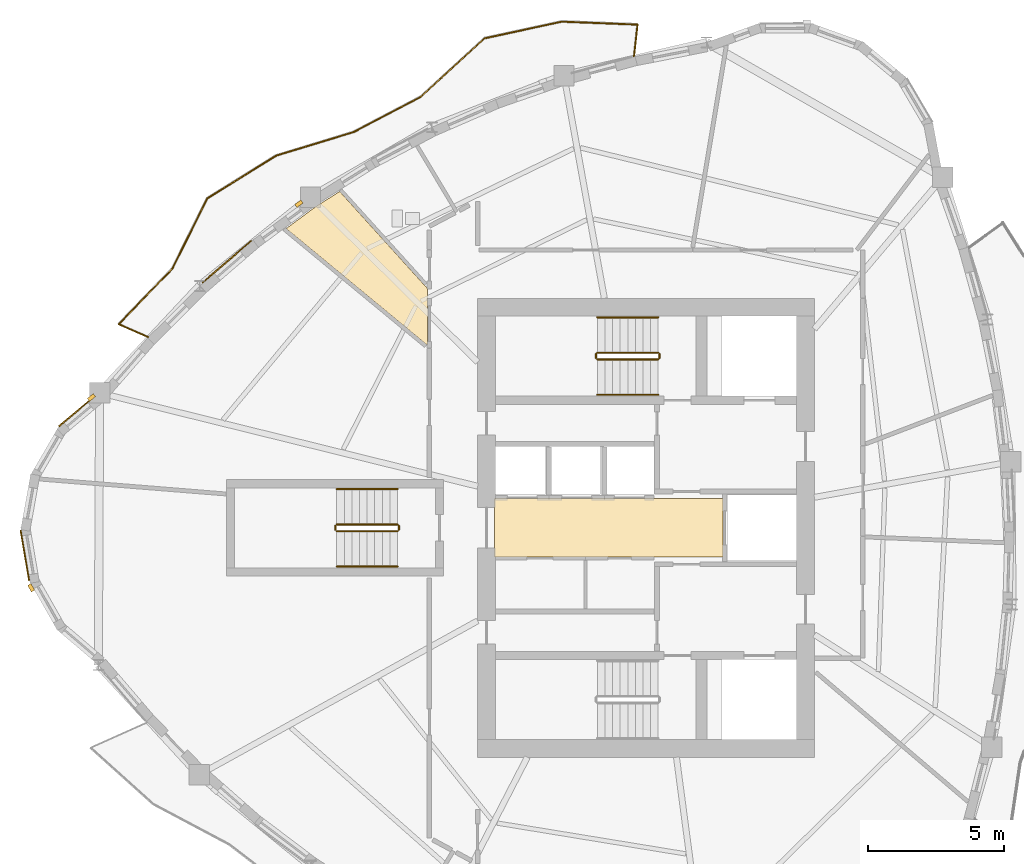
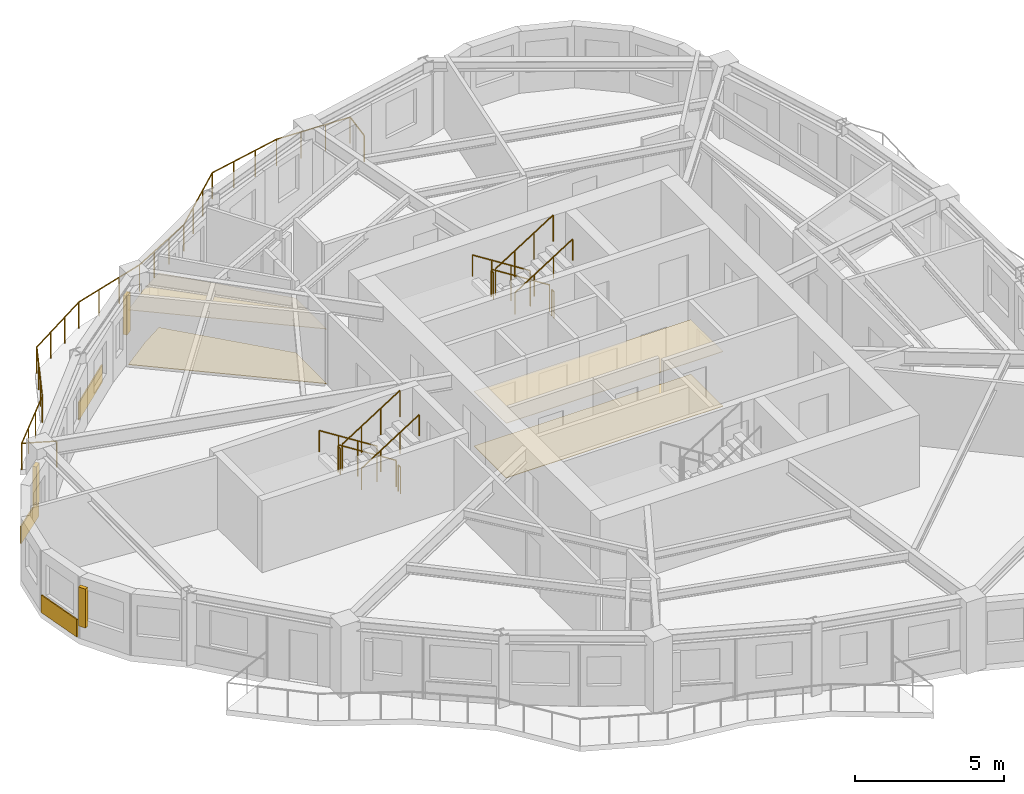
# One storey, part 9 of 11: 13 railings, 7 coverings, 3 shading devices.
"""IFC4 building model written with IfcOpenShell, lengths in metres."""

from ifc_helpers import new_model, si_unit, direction, frame, origin, origin_2d, place, context, subcontext, project, spatial, polyline, rectangle, circle, outline, extrude, source, transform, mapped, material, layer, layer_set, type_object, element, save


model = new_model("IFC4")

# Units and contexts
model_context = context("Model", 3, precision=1e-05, world=origin(), true_north=direction((0.0, 1.0)))
body_context = subcontext(model_context, "Body", "Model", "MODEL_VIEW")
ifc_project = project(units=[si_unit("LENGTHUNIT", "METRE"), si_unit("AREAUNIT", "SQUARE_METRE"), si_unit("VOLUMEUNIT", "CUBIC_METRE"), si_unit("PLANEANGLEUNIT", "RADIAN"), si_unit("MASSUNIT", "GRAM", prefix="KILO")], contexts=[model_context])

# Site, building, storey
site_placement = place(None, origin())
site = spatial("IfcSite", under=ifc_project, at=site_placement, CompositionType="ELEMENT")
building_placement = place(site_placement, origin())
building = spatial("IfcBuilding", under=site, at=building_placement, Name="Qafzar Sky-Pleat Residences", CompositionType="ELEMENT")
storey_placement = place(building_placement, frame((0.0, 0.0, 168.199951171875)))
storey = spatial("IfcBuildingStorey", under=building, at=storey_placement, Name="L50", CompositionType="ELEMENT", Elevation=168.199951171875)

# Coverings
ifc_material_1 = material(Name="Perforated acoustic gypsum board ceiling")
ifc_layer_1 = layer(ifc_material_1, 0.02001953125)
ifc_layer_set_1 = layer_set([ifc_layer_1], Name="Perforated acoustic gypsum board ceiling")
covering_type_1 = type_object("IfcCoveringType", Name="COV-CEIL-ACOUSTIC", PredefinedType="CEILING", material=ifc_layer_set_1)
covering_1_placement = place(storey_placement, frame((0.0, 0.0, 2.239990234375)))
element("IfcCovering", 1, at=covering_1_placement, inside=storey, type_object=covering_type_1, Name="L50 Passenger Lift Lobby Acoustic Ceiling", PredefinedType="CEILING", context=body_context, shape_type="SweptSolid", body=[
    extrude(outline(polyline([(33.179931640625, 24.919921875), (24.77001953125, 24.919921875), (24.77001953125, 27.080078125), (33.179931640625, 27.080078125), (33.179931640625, 24.919921875)])), origin(), (0.0, 0.0, 1.0), 0.02001953125),
])
covering_2_placement = place(storey_placement, frame((0.0, 0.0, 2.239990234375)))
element("IfcCovering", 2, at=covering_2_placement, inside=storey, type_object=covering_type_1, Name="L50 Scholar Study Room Acoustic Ceiling", PredefinedType="CEILING", context=body_context, shape_type="SweptSolid", body=[
    extrude(outline(polyline([(19.0703125, 38.385498046875), (22.31005859375, 34.802490234375), (22.31005859375, 32.716796875), (17.097900390625, 37.020751953125), (18.2138671875, 37.8466796875), (19.0703125, 38.385498046875)])), origin(), (0.0, 0.0, 1.0), 0.02001953125),
])
ifc_material_2 = material(Name="Honed porcelain and Riyadh stone tile flooring", Category="masonry")
ifc_layer_2 = layer(ifc_material_2, 0.02001953125)
ifc_layer_set_2 = layer_set([ifc_layer_2], Name="Honed porcelain and Riyadh stone tile flooring")
covering_type_2 = type_object("IfcCoveringType", Name="COV-FLR-PORCELAIN", PredefinedType="FLOORING", material=ifc_layer_set_2)
covering_3_placement = place(storey_placement, origin())
element("IfcCovering", 3, at=covering_3_placement, inside=storey, type_object=covering_type_2, Name="L50 Passenger Lift Lobby Honed Stone Flooring", PredefinedType="FLOORING", context=body_context, shape_type="SweptSolid", body=[
    extrude(outline(polyline([(33.179931640625, 24.919921875), (24.77001953125, 24.919921875), (24.77001953125, 27.080078125), (33.179931640625, 27.080078125), (33.179931640625, 24.919921875)])), origin(), (0.0, 0.0, 1.0), 0.02001953125),
])
covering_4_placement = place(storey_placement, origin())
element("IfcCovering", 4, at=covering_4_placement, inside=storey, type_object=covering_type_2, Name="L50 Scholar Study Room Honed Stone Flooring", PredefinedType="FLOORING", context=body_context, shape_type="SweptSolid", body=[
    extrude(outline(polyline([(19.0703125, 38.385498046875), (22.31005859375, 34.802490234375), (22.31005859375, 32.716796875), (17.097900390625, 37.020751953125), (18.2138671875, 37.8466796875), (19.0703125, 38.385498046875)])), origin(), (0.0, 0.0, 1.0), 0.02001953125),
])

# Shading devices
ifc_material_3 = material(Name="Honed Riyadh limestone solar fin", Category="masonry")
ifc_layer_3 = layer(ifc_material_3, 0.139892578125)
ifc_layer_set_3 = layer_set([ifc_layer_3], Name="Honed Riyadh limestone solar fin")
shading_device_type = type_object("IfcShadingDeviceType", Name="SHD-FIN-STONE", PredefinedType="SHUTTER", material=ifc_layer_set_3)
shared_shape_1 = source(origin(), body_context, "Body", "SweptSolid", [
    extrude(rectangle(XDim=0.139892578125, YDim=0.280029296875, at=origin_2d()), origin(), (0.0, 0.0, 1.0), 1.60009765625),
])
for number, where, z_axis, x_axis, name in (
    (5, (9.927001953125, 30.79931640625, 0.60009765625), (0.0, 0.0, 1.0), (-0.642173926269, 0.766558966042, 0.0), "L50 Limestone Solar Fin 1"),
    (6, (7.70654296875, 23.7919921875, 0.60009765625), (0.0, 0.0, 1.0), (-0.869636147996, -0.493693194301, 0.0), "L50 Limestone Solar Fin 5"),
    (7, (17.567138671875, 37.93408203125, 0.60009765625), (0.0, 0.0, 1.0), (-0.594863896684, 0.80382643924, 0.0), "L50 Limestone Solar Fin 45"),
):
    element("IfcShadingDevice", number, at=place(storey_placement, frame(where, z_axis=z_axis, x_axis=x_axis)), inside=storey, type_object=shading_device_type, Name=name, PredefinedType="SHUTTER", context=body_context, shape_type="MappedRepresentation", body=[
        mapped(shared_shape_1, transform((0.0, 0.0, 0.0), x_axis=(1.0, 0.0, 0.0), y_axis=(0.0, 1.0, 0.0), z_axis=(0.0, 0.0, 1.0), scale=1.0)),
    ])

# Coverings
ifc_material_4 = material(Name="Honed Riyadh Tuwaiq limestone cladding", Category="masonry")
ifc_layer_4 = layer(ifc_material_4, 0.044921875)
ifc_layer_set_4 = layer_set([ifc_layer_4], Name="Honed Riyadh Tuwaiq limestone cladding")
covering_type_3 = type_object("IfcCoveringType", Name="COV-CLAD-STONE", PredefinedType="CLADDING", material=ifc_layer_set_4)
shared_shape_2 = source(origin(), body_context, "Body", "SweptSolid", [
    extrude(rectangle(XDim=1.873046875, YDim=0.044921875, at=origin_2d()), origin(), (0.0, 0.0, 1.0), 0.719970703125),
])
covering_5_placement = place(storey_placement, frame((7.475341796875, 24.98046875, 0.02001953125), z_axis=(0.0, 0.0, 1.0), x_axis=(0.168083505524, -0.985772760412, 0.0)))
element("IfcCovering", 8, at=covering_5_placement, inside=storey, type_object=covering_type_3, Name="L50 Riyadh Limestone Spandrel Cladding 4", PredefinedType="CLADDING", context=body_context, shape_type="MappedRepresentation", body=[
    mapped(shared_shape_2, transform((0.0, 0.0, 0.0), x_axis=(1.0, 0.0, 0.0), y_axis=(0.0, 1.0, 0.0), z_axis=(0.0, 0.0, 1.0), scale=1.0)),
])
shared_shape_3 = source(origin(), body_context, "Body", "SweptSolid", [
    extrude(rectangle(XDim=1.69921875, YDim=0.044921875, at=origin_2d()), origin(), (0.0, 0.0, 1.0), 0.719970703125),
])
covering_6_placement = place(storey_placement, frame((9.371826171875, 30.2783203125, 0.02001953125), z_axis=(0.0, 0.0, 1.0), x_axis=(-0.766595170589, -0.642130706655, 0.0)))
element("IfcCovering", 9, at=covering_6_placement, inside=storey, type_object=covering_type_3, Name="L50 Riyadh Limestone Spandrel Cladding 1", PredefinedType="CLADDING", context=body_context, shape_type="MappedRepresentation", body=[
    mapped(shared_shape_3, transform((0.0, 0.0, 0.0), x_axis=(1.0, 0.0, 0.0), y_axis=(0.0, 1.0, 0.0), z_axis=(0.0, 0.0, 1.0), scale=1.0)),
])

# Railing
ifc_material_5 = material(Name="Laminated glass and bronze steel balustrade", Category="steel")
railing_type_1 = type_object("IfcRailingType", Name="RAIL-BAL-1100", PredefinedType="BALUSTRADE", material=ifc_material_5)
shared_shape_4 = source(origin(), body_context, "Body", "SweptSolid", [
    extrude(circle(Radius=0.02392578125, at=origin_2d()), frame((0.0, 0.0, 1.076171875), z_axis=(0.10940804142, 0.993996921762, 0.0), x_axis=(-0.993996921762, 0.10940804142, 0.0)), (0.0, 0.0, 1.0), 1.17822265625),
    extrude(circle(Radius=0.02392578125, at=origin_2d()), frame((0.12890625, 1.171142578125, 1.076171875), z_axis=(-0.999232085021, 0.039182142152, 0.0), x_axis=(-0.039182142152, -0.999232085021, 0.0)), (0.0, 0.0, 1.0), 2.79150390625),
    extrude(circle(Radius=0.02392578125, at=origin_2d()), frame((-2.660400390625, 1.280517578125, 1.076171875), z_axis=(-0.977426795967, -0.211274367884, 0.0), x_axis=(0.211274367884, -0.977426795967, 0.0)), (0.0, 0.0, 1.0), 2.9130859375),
    extrude(circle(Radius=0.02392578125, at=origin_2d()), frame((-5.5078125, 0.6650390625, 1.076171875), z_axis=(-0.736681363217, -0.676240023283, 0.0), x_axis=(0.676240023283, -0.736681363217, 0.0)), (0.0, 0.0, 1.0), 3.195068359375),
    extrude(circle(Radius=0.02392578125, at=origin_2d()), frame((-7.861572265625, -1.49560546875, 1.076171875), z_axis=(-0.88583325501, -0.464003711536, 0.0), x_axis=(0.464003711536, -0.88583325501, 0.0)), (0.0, 0.0, 1.0), 2.778564453125),
    extrude(circle(Radius=0.02392578125, at=origin_2d()), frame((-10.322998046875, -2.784912109375, 1.076171875), z_axis=(-0.956665955369, -0.291187653994, 0.0), x_axis=(0.291187653994, -0.956665955369, 0.0)), (0.0, 0.0, 1.0), 2.98486328125),
    extrude(circle(Radius=0.02392578125, at=origin_2d()), frame((-13.178466796875, -3.654052734375, 1.076171875), z_axis=(-0.849691907904, -0.527279491013, 0.0), x_axis=(0.527279491013, -0.849691907904, 0.0)), (0.0, 0.0, 1.0), 2.98876953125),
    extrude(circle(Radius=0.02392578125, at=origin_2d()), frame((-15.718017578125, -5.22998046875, 1.076171875), z_axis=(-0.443860567831, -0.896095863357, 0.0), x_axis=(0.896095863357, -0.443860567831, 0.0)), (0.0, 0.0, 1.0), 2.885986328125),
    extrude(circle(Radius=0.02392578125, at=origin_2d()), frame((-16.9990234375, -7.816162109375, 1.076171875), z_axis=(-0.695369906362, -0.718651997371, 0.0), x_axis=(0.718651997371, -0.695369906362, 0.0)), (0.0, 0.0, 1.0), 2.841796875),
    extrude(circle(Radius=0.02392578125, at=origin_2d()), frame((-18.97509765625, -9.8583984375, 1.076171875), z_axis=(0.915461631007, -0.402405271031, 0.0), x_axis=(0.402405271031, 0.915461631007, 0.0)), (0.0, 0.0, 1.0), 1.17822265625),
    extrude(circle(Radius=0.02099609375, at=origin_2d()), origin(), (0.0, 0.0, 1.0), 1.052001953125),
    extrude(circle(Radius=0.02099609375, at=origin_2d()), frame((0.12890625, 1.171142578125, 0.0)), (0.0, 0.0, 1.0), 1.052001953125),
    extrude(circle(Radius=0.02099609375, at=origin_2d()), frame((-0.80078125, 1.20751953125, 0.0)), (0.0, 0.0, 1.0), 1.052001953125),
    extrude(circle(Radius=0.02099609375, at=origin_2d()), frame((-1.730712890625, 1.244140625, 0.0)), (0.0, 0.0, 1.0), 1.052001953125),
    extrude(circle(Radius=0.02099609375, at=origin_2d()), frame((-2.660400390625, 1.280517578125, 0.0)), (0.0, 0.0, 1.0), 1.052001953125),
    extrude(circle(Radius=0.02099609375, at=origin_2d()), frame((-3.609619140625, 1.075439453125, 0.0)), (0.0, 0.0, 1.0), 1.052001953125),
    extrude(circle(Radius=0.02099609375, at=origin_2d()), frame((-4.55859375, 0.8701171875, 0.0)), (0.0, 0.0, 1.0), 1.052001953125),
    extrude(circle(Radius=0.02099609375, at=origin_2d()), frame((-5.5078125, 0.6650390625, 0.0)), (0.0, 0.0, 1.0), 1.052001953125),
    extrude(circle(Radius=0.02099609375, at=origin_2d()), frame((-6.29248046875, -0.05517578125, 0.0)), (0.0, 0.0, 1.0), 1.052001953125),
    extrude(circle(Radius=0.02099609375, at=origin_2d()), frame((-7.076904296875, -0.775390625, 0.0)), (0.0, 0.0, 1.0), 1.052001953125),
    extrude(circle(Radius=0.02099609375, at=origin_2d()), frame((-7.861572265625, -1.49560546875, 0.0)), (0.0, 0.0, 1.0), 1.052001953125),
    extrude(circle(Radius=0.02099609375, at=origin_2d()), frame((-8.68212890625, -1.92529296875, 0.0)), (0.0, 0.0, 1.0), 1.052001953125),
    extrude(circle(Radius=0.02099609375, at=origin_2d()), frame((-9.50244140625, -2.355224609375, 0.0)), (0.0, 0.0, 1.0), 1.052001953125),
    extrude(circle(Radius=0.02099609375, at=origin_2d()), frame((-10.322998046875, -2.784912109375, 0.0)), (0.0, 0.0, 1.0), 1.052001953125),
    extrude(circle(Radius=0.02099609375, at=origin_2d()), frame((-11.27490234375, -3.07470703125, 0.0)), (0.0, 0.0, 1.0), 1.052001953125),
    extrude(circle(Radius=0.02099609375, at=origin_2d()), frame((-12.2265625, -3.3642578125, 0.0)), (0.0, 0.0, 1.0), 1.052001953125),
    extrude(circle(Radius=0.02099609375, at=origin_2d()), frame((-13.178466796875, -3.654052734375, 0.0)), (0.0, 0.0, 1.0), 1.052001953125),
    extrude(circle(Radius=0.02099609375, at=origin_2d()), frame((-14.02490234375, -4.179443359375, 0.0)), (0.0, 0.0, 1.0), 1.052001953125),
    extrude(circle(Radius=0.02099609375, at=origin_2d()), frame((-14.87158203125, -4.70458984375, 0.0)), (0.0, 0.0, 1.0), 1.052001953125),
    extrude(circle(Radius=0.02099609375, at=origin_2d()), frame((-15.718017578125, -5.22998046875, 0.0)), (0.0, 0.0, 1.0), 1.052001953125),
    extrude(circle(Radius=0.02099609375, at=origin_2d()), frame((-16.14501953125, -6.092041015625, 0.0)), (0.0, 0.0, 1.0), 1.052001953125),
    extrude(circle(Radius=0.02099609375, at=origin_2d()), frame((-16.572021484375, -6.9541015625, 0.0)), (0.0, 0.0, 1.0), 1.052001953125),
    extrude(circle(Radius=0.02099609375, at=origin_2d()), frame((-16.9990234375, -7.816162109375, 0.0)), (0.0, 0.0, 1.0), 1.052001953125),
    extrude(circle(Radius=0.02099609375, at=origin_2d()), frame((-17.65771484375, -8.496826171875, 0.0)), (0.0, 0.0, 1.0), 1.052001953125),
    extrude(circle(Radius=0.02099609375, at=origin_2d()), frame((-18.31640625, -9.177734375, 0.0)), (0.0, 0.0, 1.0), 1.052001953125),
    extrude(circle(Radius=0.02099609375, at=origin_2d()), frame((-18.97509765625, -9.8583984375, 0.0)), (0.0, 0.0, 1.0), 1.052001953125),
    extrude(circle(Radius=0.02099609375, at=origin_2d()), frame((-17.896484375, -10.33251953125, 0.0)), (0.0, 0.0, 1.0), 1.052001953125),
])
railing_placement = place(storey_placement, frame((29.908203125, 43.35986328125, 0.0)))
element("IfcRailing", 10, at=railing_placement, inside=storey, type_object=railing_type_1, Name="L50 Pleated Balcony 2 Balustrade", PredefinedType="BALUSTRADE", context=body_context, shape_type="MappedRepresentation", body=[
    mapped(shared_shape_4, transform((0.0, 0.0, 0.0), x_axis=(1.0, 0.0, 0.0), y_axis=(0.0, 1.0, 0.0), z_axis=(0.0, 0.0, 1.0), scale=1.0)),
])

# Covering
shared_shape_5 = source(origin(), body_context, "Body", "SweptSolid", [
    extrude(rectangle(XDim=2.381103515625, YDim=0.044921875, at=origin_2d()), origin(), (0.0, 0.0, 1.0), 0.719970703125),
])
covering_7_placement = place(storey_placement, frame((14.91748046875, 35.801025390625, 0.02001953125), z_axis=(0.0, 0.0, 1.0), x_axis=(-0.757482150574, -0.652855873498, 0.0)))
element("IfcCovering", 11, at=covering_7_placement, inside=storey, type_object=covering_type_3, Name="L50 Riyadh Limestone Spandrel Cladding 46", PredefinedType="CLADDING", context=body_context, shape_type="MappedRepresentation", body=[
    mapped(shared_shape_5, transform((0.0, 0.0, 0.0), x_axis=(1.0, 0.0, 0.0), y_axis=(0.0, 1.0, 0.0), z_axis=(0.0, 0.0, 1.0), scale=1.0)),
])

# Railings
ifc_material_6 = material(Name="Painted Steel S355 stair guardrail", Category="steel")
railing_type_2 = type_object("IfcRailingType", Name="RAIL-STAIR-GUARD", PredefinedType="GUARDRAIL", material=ifc_material_6)
shared_shape_6 = source(origin(), body_context, "Body", "SweptSolid", [
    extrude(circle(Radius=0.02392578125, at=origin_2d()), frame((0.0, 0.0, 1.076171875), z_axis=(0.0, -1.0, 0.0), x_axis=(1.0, 0.0, 0.0)), (0.0, 0.0, 1.0), 0.14990234375),
    extrude(circle(Radius=0.02099609375, at=origin_2d()), origin(), (0.0, 0.0, 1.0), 1.052001953125),
    extrude(circle(Radius=0.02099609375, at=origin_2d()), frame((0.0, -0.14990234375, 0.0)), (0.0, 0.0, 1.0), 1.052001953125),
])
for number, where, name in (
    (12, (28.510009765625, 32.39990234375, 1.60009765625), "L50 ST2 stair guard 2"),
    (13, (30.85009765625, 32.39990234375, 0.0), "L50 ST2 stair guard 4"),
    (14, (18.909912109375, 26.074951171875, 1.60009765625), "L50 ST3 stair guard 2"),
    (15, (21.25, 26.074951171875, 0.0), "L50 ST3 stair guard 4"),
):
    element("IfcRailing", number, at=place(storey_placement, frame(where)), inside=storey, type_object=railing_type_2, Name=name, PredefinedType="GUARDRAIL", context=body_context, shape_type="MappedRepresentation", body=[
        mapped(shared_shape_6, transform((0.0, 0.0, 0.0), x_axis=(1.0, 0.0, 0.0), y_axis=(0.0, 1.0, 0.0), z_axis=(0.0, 0.0, 1.0), scale=1.0)),
    ])
shared_shape_7 = source(origin(), body_context, "Body", "SweptSolid", [
    extrude(circle(Radius=0.02392578125, at=origin_2d()), frame((0.0, 0.0, 1.076171875), z_axis=(0.8442293374, 0.0, 0.53598211339), x_axis=(0.0, 1.0, 0.0)), (0.0, 0.0, 1.0), 2.6533203125),
    extrude(circle(Radius=0.02099609375, at=origin_2d()), origin(), (0.0, 0.0, 1.0), 1.052001953125),
    extrude(circle(Radius=0.02099609375, at=origin_2d()), frame((0.74658203125, 0.0, 0.47412109375)), (0.0, 0.0, 1.0), 1.052001953125),
    extrude(circle(Radius=0.02099609375, at=origin_2d()), frame((1.493408203125, 0.0, 0.947998046875)), (0.0, 0.0, 1.0), 1.052001953125),
    extrude(circle(Radius=0.02099609375, at=origin_2d()), frame((2.239990234375, 0.0, 1.422119140625)), (0.0, 0.0, 1.0), 1.052001953125),
])
for number, where, name in (
    (16, (28.56005859375, 32.199951171875, 1.77783203125), "L50 ST2 stair guard 3"),
    (17, (18.9599609375, 25.875, 1.77783203125), "L50 ST3 stair guard 3"),
):
    element("IfcRailing", number, at=place(storey_placement, frame(where)), inside=storey, type_object=railing_type_2, Name=name, PredefinedType="GUARDRAIL", context=body_context, shape_type="MappedRepresentation", body=[
        mapped(shared_shape_7, transform((0.0, 0.0, 0.0), x_axis=(1.0, 0.0, 0.0), y_axis=(0.0, 1.0, 0.0), z_axis=(0.0, 0.0, 1.0), scale=1.0)),
    ])
ifc_material_7 = material(Name="Brushed stainless steel handrail", Category="steel")
railing_type_3 = type_object("IfcRailingType", Name="RAIL-STAIR-HAND", PredefinedType="HANDRAIL", material=ifc_material_7)
shared_shape_8 = source(origin(), body_context, "Body", "SweptSolid", [
    extrude(circle(Radius=0.02392578125, at=origin_2d()), frame((0.0, 0.0, 0.8759765625), z_axis=(0.8442293374, 0.0, 0.53598211339), x_axis=(0.0, 1.0, 0.0)), (0.0, 0.0, 1.0), 2.6533203125),
    extrude(circle(Radius=0.02099609375, at=origin_2d()), origin(), (0.0, 0.0, 1.0), 0.851806640625),
    extrude(circle(Radius=0.02099609375, at=origin_2d()), frame((0.74658203125, 0.0, 0.47412109375)), (0.0, 0.0, 1.0), 0.851806640625),
    extrude(circle(Radius=0.02099609375, at=origin_2d()), frame((1.493408203125, 0.0, 0.947998046875)), (0.0, 0.0, 1.0), 0.851806640625),
    extrude(circle(Radius=0.02099609375, at=origin_2d()), frame((2.239990234375, 0.0, 1.422119140625)), (0.0, 0.0, 1.0), 0.851806640625),
])
for number, where, name in (
    (18, (28.56005859375, 30.89990234375, 1.77783203125), "L50 ST2 stair handrail 2"),
    (19, (18.9599609375, 24.574951171875, 1.77783203125), "L50 ST3 stair handrail 2"),
):
    element("IfcRailing", number, at=place(storey_placement, frame(where)), inside=storey, type_object=railing_type_3, Name=name, PredefinedType="HANDRAIL", context=body_context, shape_type="MappedRepresentation", body=[
        mapped(shared_shape_8, transform((0.0, 0.0, 0.0), x_axis=(1.0, 0.0, 0.0), y_axis=(0.0, 1.0, 0.0), z_axis=(0.0, 0.0, 1.0), scale=1.0)),
    ])
shared_shape_9 = source(origin(), body_context, "Body", "SweptSolid", [
    extrude(circle(Radius=0.02392578125, at=origin_2d()), frame((0.0, 0.0, 1.076171875), z_axis=(-0.84418770128, 0.0, 0.536047689118), x_axis=(0.0, -1.0, 0.0)), (0.0, 0.0, 1.0), 2.6533203125),
    extrude(circle(Radius=0.02099609375, at=origin_2d()), origin(), (0.0, 0.0, 1.0), 1.052001953125),
    extrude(circle(Radius=0.02099609375, at=origin_2d()), frame((-0.74658203125, 0.0, 0.47412109375)), (0.0, 0.0, 1.0), 1.052001953125),
    extrude(circle(Radius=0.02099609375, at=origin_2d()), frame((-1.493408203125, 0.0, 0.9482421875)), (0.0, 0.0, 1.0), 1.052001953125),
    extrude(circle(Radius=0.02099609375, at=origin_2d()), frame((-2.239990234375, 0.0, 1.42236328125)), (0.0, 0.0, 1.0), 1.052001953125),
])
for number, where, name in (
    (20, (30.800048828125, 32.449951171875, 0.177734375), "L50 ST2 stair guard 1"),
    (21, (21.199951171875, 26.125, 0.177734375), "L50 ST3 stair guard 1"),
):
    element("IfcRailing", number, at=place(storey_placement, frame(where)), inside=storey, type_object=railing_type_2, Name=name, PredefinedType="GUARDRAIL", context=body_context, shape_type="MappedRepresentation", body=[
        mapped(shared_shape_9, transform((0.0, 0.0, 0.0), x_axis=(1.0, 0.0, 0.0), y_axis=(0.0, 1.0, 0.0), z_axis=(0.0, 0.0, 1.0), scale=1.0)),
    ])
shared_shape_10 = source(origin(), body_context, "Body", "SweptSolid", [
    extrude(circle(Radius=0.02392578125, at=origin_2d()), frame((0.0, 0.0, 0.8759765625), z_axis=(-0.84418770128, 0.0, 0.536047689118), x_axis=(0.0, -1.0, 0.0)), (0.0, 0.0, 1.0), 2.6533203125),
    extrude(circle(Radius=0.02099609375, at=origin_2d()), origin(), (0.0, 0.0, 1.0), 0.851806640625),
    extrude(circle(Radius=0.02099609375, at=origin_2d()), frame((-0.74658203125, 0.0, 0.47412109375)), (0.0, 0.0, 1.0), 0.851806640625),
    extrude(circle(Radius=0.02099609375, at=origin_2d()), frame((-1.493408203125, 0.0, 0.9482421875)), (0.0, 0.0, 1.0), 0.851806640625),
    extrude(circle(Radius=0.02099609375, at=origin_2d()), frame((-2.239990234375, 0.0, 1.42236328125)), (0.0, 0.0, 1.0), 0.851806640625),
])
for number, where, name in (
    (22, (30.800048828125, 33.75, 0.177734375), "L50 ST2 stair handrail 1"),
    (23, (21.199951171875, 27.425048828125, 0.177734375), "L50 ST3 stair handrail 1"),
):
    element("IfcRailing", number, at=place(storey_placement, frame(where)), inside=storey, type_object=railing_type_3, Name=name, PredefinedType="HANDRAIL", context=body_context, shape_type="MappedRepresentation", body=[
        mapped(shared_shape_10, transform((0.0, 0.0, 0.0), x_axis=(1.0, 0.0, 0.0), y_axis=(0.0, 1.0, 0.0), z_axis=(0.0, 0.0, 1.0), scale=1.0)),
    ])

save(model, "model.ifc")
